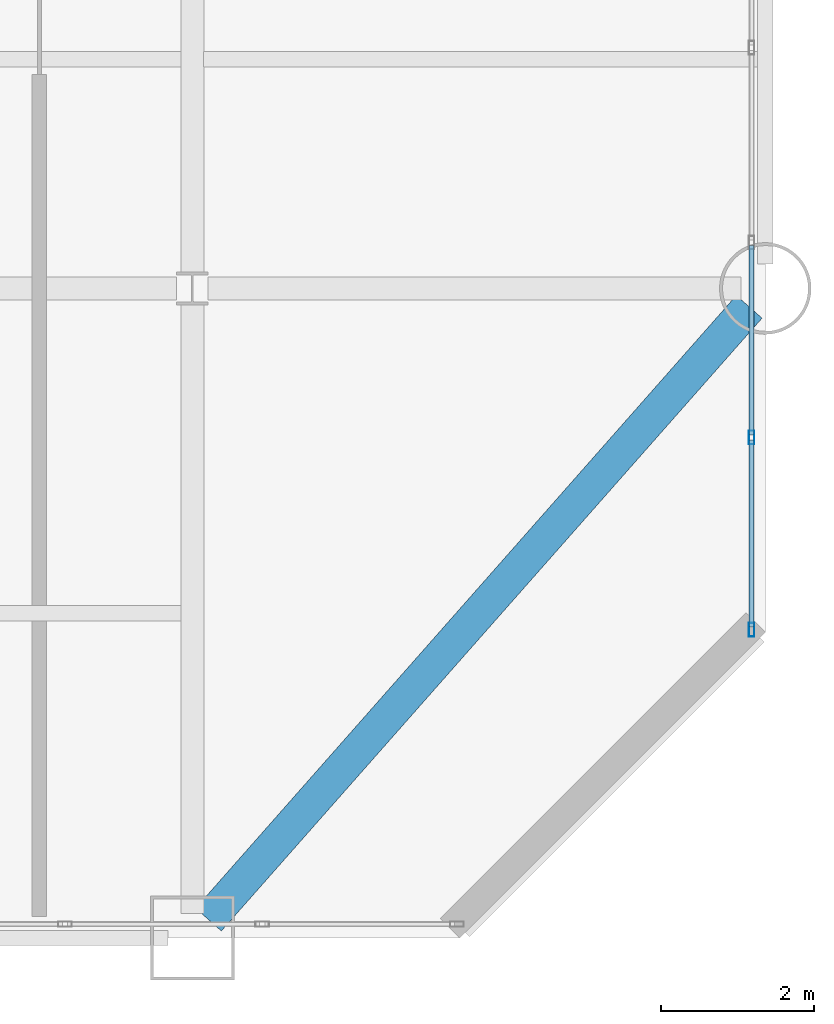
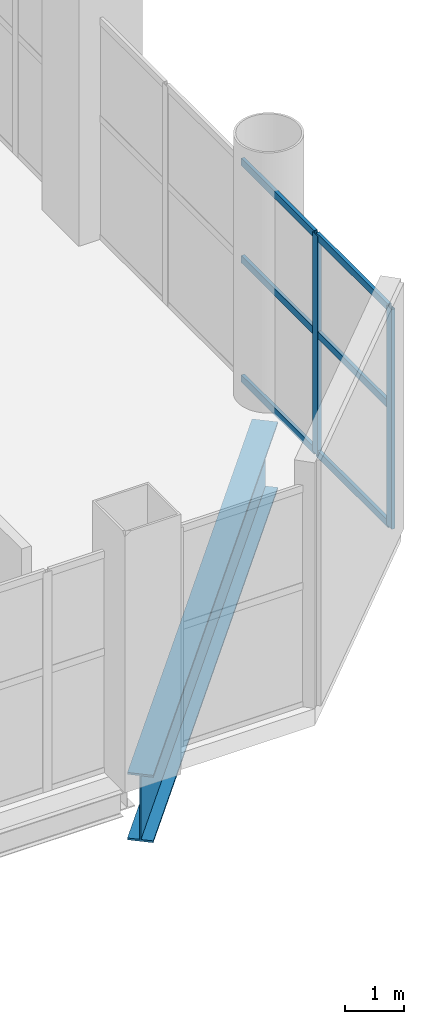
# One storey, part 8 of 26: 8 members, 1 beam, 1 element without a shape of its own.
"""IFC4 building model written with IfcOpenShell, lengths in metres."""

from ifc_helpers import new_model, si_unit, direction, frame, origin, origin_2d, place, context, subcontext, project, spatial, hollow_rectangle, i_section, extrude, material, layer, layer_set, material_profile, profile_set, type_object, element, aggregate, save


model = new_model("IFC4")

# Units and contexts
model_context = context("Model", 3, precision=1e-05, world=origin(), true_north=direction((0.0, 1.0)))
body_context = subcontext(model_context, "Body", "Model", "MODEL_VIEW")
ifc_project = project(units=[si_unit("LENGTHUNIT", "METRE"), si_unit("AREAUNIT", "SQUARE_METRE"), si_unit("VOLUMEUNIT", "CUBIC_METRE"), si_unit("PLANEANGLEUNIT", "RADIAN"), si_unit("MASSUNIT", "GRAM", prefix="KILO")], contexts=[model_context])

# Site, building, storey
site_placement = place(None, origin())
site = spatial("IfcSite", under=ifc_project, at=site_placement, CompositionType="ELEMENT")
building_placement = place(site_placement, origin())
building = spatial("IfcBuilding", under=site, at=building_placement, Name="Qianrong Seaharbour Tower", CompositionType="ELEMENT")
storey_placement = place(building_placement, frame((0.0, 0.0, 108.199951171875)))
storey = spatial("IfcBuildingStorey", under=building, at=storey_placement, Name="L26", CompositionType="ELEMENT", Elevation=108.199951171875)

# Beam
ifc_material_1 = material(Name="Structural steel SN490B", Category="steel")
ifc_material_profile_1 = material_profile(ifc_material_1, i_section(OverallWidth=0.449951171875, OverallDepth=1.39990234375, WebThickness=0.02197265625, FlangeThickness=0.0400390625, at=origin_2d()), Name="BH1400x450x22x40")
ifc_profile_set_1 = profile_set([ifc_material_profile_1], Name="Structural steel SN490B")
beam_type = type_object("IfcBeamType", Name="BM-TG-1400", PredefinedType="BEAM", material=ifc_profile_set_1)
beam_placement = place(storey_placement, frame((56.711669921875, 4.239990234375, -1.050048828125), z_axis=(0.661630696334, 0.749829861815, 0.0), x_axis=(-0.749829861815, 0.661630696334, 0.0)))
element("IfcBeam", 1, at=beam_placement, inside=storey, type_object=beam_type, Name="L26 Chamfer Corner Spandrel Girder G9/GB", PredefinedType="BEAM", context=body_context, shape_type="SweptSolid", body=[
    extrude(i_section(OverallWidth=0.449951171875, OverallDepth=1.39990234375, WebThickness=0.02197265625, FlangeThickness=0.0400390625, at=origin_2d()), origin(), (0.0, 0.0, 1.0), 10.69580078125),
])

# Curtain wall, members
ifc_material_2 = material(Name="Anodised aluminium 6063-T6 and laminated low-e glass", Category="aluminium")
ifc_layer = layer(ifc_material_2, 0.18505859375)
ifc_layer_set = layer_set([ifc_layer], Name="Anodised aluminium 6063-T6 and laminated low-e glass")
curtain_wall_type = type_object("IfcCurtainWallType", Name="CW-SYS-4", PredefinedType="NOTDEFINED", material=ifc_layer_set)
curtain_wall_placement = place(storey_placement, origin())
curtain_wall = element("IfcCurtainWall", 2, at=curtain_wall_placement, inside=storey, type_object=curtain_wall_type, Name="L26 Refuge Acoustic Louvre Curtain Wall EAST_WING", PredefinedType="NOTDEFINED")
ifc_material_3 = material(Name="Extruded aluminium 6063-T6", Category="aluminium")
ifc_material_profile_2 = material_profile(ifc_material_3, hollow_rectangle(XDim=0.070068359375, YDim=0.179931640625, WallThickness=0.00390625, at=origin_2d()), Name="ALU-MUL-180x70x4")
ifc_profile_set_2 = profile_set([ifc_material_profile_2], Name="Extruded aluminium 6063-T6")
member_type_1 = type_object("IfcMemberType", Name="CW-MUL-180", PredefinedType="MULLION", material=ifc_profile_set_2)
member_1_placement = place(storey_placement, frame((63.820068359375, 10.550048828125, 0.0), z_axis=(0.0, 0.0, 1.0), x_axis=(1.0, 0.0, 0.0)))
member_1 = element("IfcMember", 3, at=member_1_placement, type_object=member_type_1, Name="CW-4 mullion 11", PredefinedType="MULLION", context=body_context, shape_type="SweptSolid", body=[
    extrude(hollow_rectangle(XDim=0.070068359375, YDim=0.179931640625, WallThickness=0.00390625, at=origin_2d()), origin(), (0.0, 0.0, 1.0), 4.56005859375),
])
member_2_placement = place(storey_placement, frame((63.820068359375, 8.034912109375, 0.0), z_axis=(0.0, 0.0, 1.0), x_axis=(1.0, 0.0, 0.0)))
member_2 = element("IfcMember", 4, at=member_2_placement, type_object=member_type_1, Name="CW-4 mullion 12", PredefinedType="MULLION", context=body_context, shape_type="SweptSolid", body=[
    extrude(hollow_rectangle(XDim=0.070068359375, YDim=0.179931640625, WallThickness=0.00390625, at=origin_2d()), origin(), (0.0, 0.0, 1.0), 4.56005859375),
])
ifc_material_profile_3 = material_profile(ifc_material_3, hollow_rectangle(XDim=0.06494140625, YDim=0.14990234375, WallThickness=0.00390625, at=origin_2d()), Name="ALU-TRN-150x65x4")
ifc_profile_set_3 = profile_set([ifc_material_profile_3], Name="Extruded aluminium 6063-T6")
member_type_2 = type_object("IfcMemberType", Name="CW-TRN-150", PredefinedType="USERDEFINED", material=ifc_profile_set_3)
member_3_placement = place(storey_placement, frame((63.820068359375, 13.06494140625, 0.032470703125), z_axis=(0.0, -1.0, 0.0), x_axis=(1.0, 0.0, 0.0)))
member_3 = element("IfcMember", 5, at=member_3_placement, type_object=member_type_2, Name="CW-4 transom 10.1", ObjectType="TRANSOM", PredefinedType="USERDEFINED", context=body_context, shape_type="SweptSolid", body=[
    extrude(hollow_rectangle(XDim=0.06494140625, YDim=0.14990234375, WallThickness=0.00390625, at=origin_2d()), origin(), (0.0, 0.0, 1.0), 2.47998046875),
])
member_4_placement = place(storey_placement, frame((63.820068359375, 13.06494140625, 2.508056640625), z_axis=(0.0, -1.0, 0.0), x_axis=(1.0, 0.0, 0.0)))
member_4 = element("IfcMember", 6, at=member_4_placement, type_object=member_type_2, Name="CW-4 transom 10.2", ObjectType="TRANSOM", PredefinedType="USERDEFINED", context=body_context, shape_type="SweptSolid", body=[
    extrude(hollow_rectangle(XDim=0.06494140625, YDim=0.14990234375, WallThickness=0.00390625, at=origin_2d()), origin(), (0.0, 0.0, 1.0), 2.47998046875),
])
member_5_placement = place(storey_placement, frame((63.820068359375, 13.06494140625, 4.527587890625), z_axis=(0.0, -1.0, 0.0), x_axis=(1.0, 0.0, 0.0)))
member_5 = element("IfcMember", 7, at=member_5_placement, type_object=member_type_2, Name="CW-4 transom 10.3", ObjectType="TRANSOM", PredefinedType="USERDEFINED", context=body_context, shape_type="SweptSolid", body=[
    extrude(hollow_rectangle(XDim=0.06494140625, YDim=0.14990234375, WallThickness=0.00390625, at=origin_2d()), origin(), (0.0, 0.0, 1.0), 2.47998046875),
])
member_6_placement = place(storey_placement, frame((63.820068359375, 10.514892578125, 0.032470703125), z_axis=(0.0, -1.0, 0.0), x_axis=(1.0, 0.0, 0.0)))
member_6 = element("IfcMember", 8, at=member_6_placement, type_object=member_type_2, Name="CW-4 transom 11.1", ObjectType="TRANSOM", PredefinedType="USERDEFINED", context=body_context, shape_type="SweptSolid", body=[
    extrude(hollow_rectangle(XDim=0.06494140625, YDim=0.14990234375, WallThickness=0.00390625, at=origin_2d()), origin(), (0.0, 0.0, 1.0), 2.44482421875),
])
member_7_placement = place(storey_placement, frame((63.820068359375, 10.514892578125, 2.508056640625), z_axis=(0.0, -1.0, 0.0), x_axis=(1.0, 0.0, 0.0)))
member_7 = element("IfcMember", 9, at=member_7_placement, type_object=member_type_2, Name="CW-4 transom 11.2", ObjectType="TRANSOM", PredefinedType="USERDEFINED", context=body_context, shape_type="SweptSolid", body=[
    extrude(hollow_rectangle(XDim=0.06494140625, YDim=0.14990234375, WallThickness=0.00390625, at=origin_2d()), origin(), (0.0, 0.0, 1.0), 2.44482421875),
])
member_8_placement = place(storey_placement, frame((63.820068359375, 10.514892578125, 4.527587890625), z_axis=(0.0, -1.0, 0.0), x_axis=(1.0, 0.0, 0.0)))
member_8 = element("IfcMember", 10, at=member_8_placement, type_object=member_type_2, Name="CW-4 transom 11.3", ObjectType="TRANSOM", PredefinedType="USERDEFINED", context=body_context, shape_type="SweptSolid", body=[
    extrude(hollow_rectangle(XDim=0.06494140625, YDim=0.14990234375, WallThickness=0.00390625, at=origin_2d()), origin(), (0.0, 0.0, 1.0), 2.44482421875),
])
aggregate(curtain_wall, [member_1, member_2, member_3, member_4, member_5, member_6, member_7, member_8])

save(model, "model.ifc")
